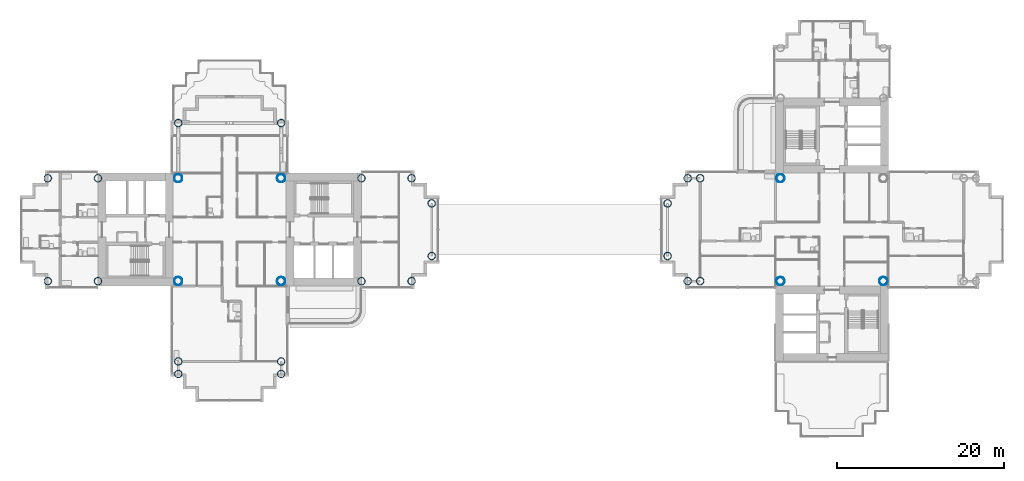
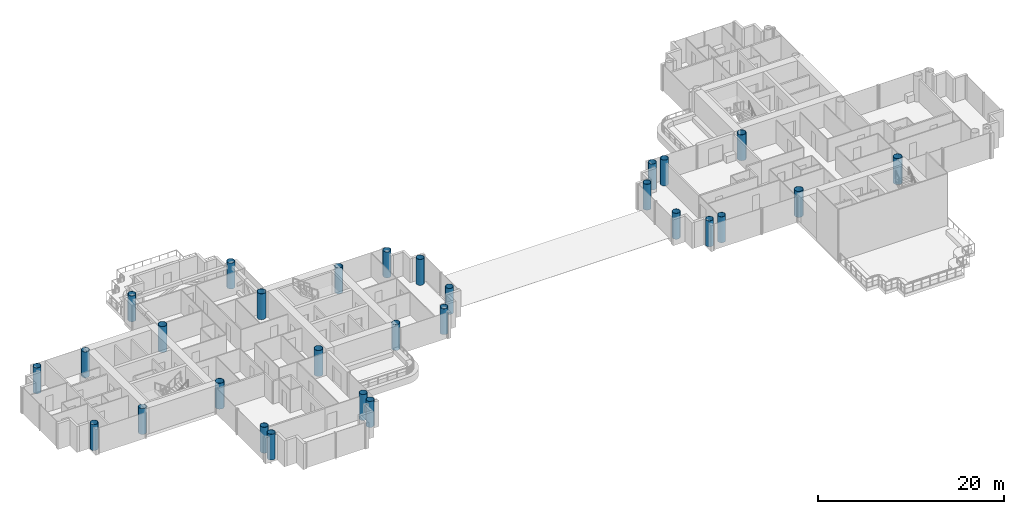
# One storey, part 1 of 22: 29 columns.
"""IFC4 building model written with IfcOpenShell, lengths in metres."""

import ifcopenshell
import ifcopenshell.guid

model = None  # the IFC model being written
_history = None  # IfcOwnerHistory: only IFC2X3 demands one
_inside = {}  # id of a spatial element -> (the spatial element, [elements in it])
_under = {}  # id of a project, library or spatial element -> (it, [spatial elements below it])
_declared = {}  # id of a project -> (the project, [libraries it declares])
_typed = {}  # id of a type object -> (the type object, [elements of that type])
_made_of = {}  # id of a material, layer set ... -> (it, [elements and type objects made of it])


def new_model(schema):
    """Start an empty IFC model of exactly this schema.

    Asked for "IFC4X3", IfcOpenShell would pick the latest addendum, in which some entities
    have other attributes; the version numbers below select the first issue.
    IFC2X3 requires an IfcOwnerHistory on every rooted entity: one is made here for all.
    """
    global model, _history
    if schema == "IFC4X3":
        model = ifcopenshell.file(schema_version=(4, 3, 0, 0))
    else:
        model = ifcopenshell.file(schema=schema)
    _inside.clear()
    _under.clear()
    _declared.clear()
    _typed.clear()
    _made_of.clear()
    _history = None
    if model.schema == "IFC2X3":
        org = make("IfcOrganization", Name="unknown")
        user = make(
            "IfcPersonAndOrganization",
            ThePerson=make("IfcPerson", FamilyName="unknown"),
            TheOrganization=org,
        )
        app = make(
            "IfcApplication",
            ApplicationDeveloper=org,
            Version="unknown",
            ApplicationFullName="unknown",
            ApplicationIdentifier="unknown",
        )
        _history = make(
            "IfcOwnerHistory",
            OwningUser=user,
            OwningApplication=app,
            ChangeAction="ADDED",
            CreationDate=0,
        )
    return model


def make(cls, **values):
    """One entity of the class cls with the attributes given. An attribute that is None is left unset."""
    return model.create_entity(
        cls, **{name: value for name, value in values.items() if value is not None}
    )


def rooted(cls, **values):
    """An entity with a GlobalId (a new one), such as an element, a storey or a relation."""
    return make(cls, GlobalId=ifcopenshell.guid.new(), OwnerHistory=_history, **values)


def si_unit(unit_type, name, prefix=None):
    """IfcSIUnit, for example si_unit("LENGTHUNIT", "METRE", prefix="MILLI")."""
    return make("IfcSIUnit", UnitType=unit_type, Prefix=prefix, Name=name)


def assignment(units):
    """IfcUnitAssignment: the units of a project."""
    return None if units is None else make("IfcUnitAssignment", Units=units)


def point(xyz):
    """IfcCartesianPoint."""
    return None if xyz is None else make("IfcCartesianPoint", Coordinates=xyz)


def direction(xyz):
    """IfcDirection."""
    return None if xyz is None else make("IfcDirection", DirectionRatios=xyz)


def frame(location, z_axis=None, x_axis=None):
    """IfcAxis2Placement3D, a coordinate frame: its origin and axes. An axis left out is left unset."""
    return make(
        "IfcAxis2Placement3D",
        Location=point(location),
        Axis=direction(z_axis),
        RefDirection=direction(x_axis),
    )


def frame_2d(location, x_axis=None):
    """IfcAxis2Placement2D, a coordinate frame in the plane: its origin and x axis."""
    return make(
        "IfcAxis2Placement2D", Location=point(location), RefDirection=direction(x_axis)
    )


def origin():
    """The frame at (0, 0, 0) with its axes left unset."""
    return frame((0.0, 0.0, 0.0))


def origin_2d():
    """The frame at (0, 0) in the plane with its x axis left unset."""
    return frame_2d((0.0, 0.0))


def place(relative_to, where):
    """IfcLocalPlacement: puts the frame where relative to a parent placement (None: the world)."""
    return make(
        "IfcLocalPlacement", PlacementRelTo=relative_to, RelativePlacement=where
    )


def context(
    kind, dimensions, precision=None, world=None, true_north=None, identifier=None
):
    """IfcGeometricRepresentationContext, for example the 3D "Model" context."""
    return make(
        "IfcGeometricRepresentationContext",
        ContextIdentifier=identifier,
        ContextType=kind,
        CoordinateSpaceDimension=dimensions,
        Precision=precision,
        WorldCoordinateSystem=world,
        TrueNorth=true_north,
    )


def subcontext(parent, identifier, kind, view, scale=None):
    """IfcGeometricRepresentationSubContext, for example "Body" below "Model"."""
    return make(
        "IfcGeometricRepresentationSubContext",
        ContextIdentifier=identifier,
        ContextType=kind,
        ParentContext=parent,
        TargetScale=scale,
        TargetView=view,
    )


def project(units=None, contexts=None):
    """IfcProject with its units and contexts."""
    return rooted(
        "IfcProject",
        Name="project",
        RepresentationContexts=contexts,
        UnitsInContext=assignment(units),
    )


def spatial(cls, under=None, at=None, **own):
    """A site, building, storey or space (cls), placed at a placement, below another one or the project."""
    s = rooted(cls, ObjectPlacement=at, **own)
    if under is not None:
        _under.setdefault(under.id(), (under, []))[1].append(s)
    return s


def profile(cls, at=None, kind="AREA", **sizes):
    """A parametric profile (cls). Its sizes go by their IFC names, for example OverallWidth=200.0."""
    return make(cls, ProfileType=kind, Position=at, **sizes)


def hollow_circle(**sizes):
    """IfcCircleHollowProfileDef."""
    return profile("IfcCircleHollowProfileDef", **sizes)


def extrude(swept, where, along, depth):
    """IfcExtrudedAreaSolid: the profile swept, set in the frame where, extruded along a direction by depth."""
    return make(
        "IfcExtrudedAreaSolid",
        SweptArea=swept,
        Position=where,
        ExtrudedDirection=direction(along),
        Depth=depth,
    )


def shape(context_of_items, identifier, shape_type, items):
    """IfcShapeRepresentation: the items that make up one representation, for example the "Body"."""
    return make(
        "IfcShapeRepresentation",
        ContextOfItems=context_of_items,
        RepresentationIdentifier=identifier,
        RepresentationType=shape_type,
        Items=items,
    )


def material(Name=None, Category=None):
    """IfcMaterial."""
    return make("IfcMaterial", Name=Name, Category=Category)


def material_profile(
    of_material, cross_section, Name=None, Category=None, Priority=None
):
    """IfcMaterialProfile: a cross section and its material."""
    return make(
        "IfcMaterialProfile",
        Name=Name,
        Material=of_material,
        Profile=cross_section,
        Priority=Priority,
        Category=Category,
    )


def profile_set(profiles, Name=None, composite=None):
    """IfcMaterialProfileSet."""
    return make(
        "IfcMaterialProfileSet",
        Name=Name,
        MaterialProfiles=profiles,
        CompositeProfile=composite,
    )


def made_of(thing, what):
    """Note that an element or type object is made of a material, layer set ...; save() writes the relation."""
    if what is not None:
        _made_of.setdefault(what.id(), (what, []))[1].append(thing)
    return thing


def type_object(cls, material=None, **own):
    """A type object (cls), such as IfcWallType, which elements share."""
    return made_of(rooted(cls, **own), material)


def element(
    cls,
    number,
    at=None,
    inside=None,
    cuts=None,
    type_object=None,
    material=None,
    context=None,
    identifier="Body",
    shape_type=None,
    held_by="IfcProductDefinitionShape",
    body=None,
    shapes=None,
    **own,
):
    """One element of the class cls, such as IfcWall. Its Tag is "e" and its number.

    at: its placement. inside: the storey or other place that contains it. cuts: it is an
    opening in that element (IfcRelVoidsElement). A single representation is given by context,
    identifier, shape_type and body (its items); several are given by shapes. held_by: the class
    of the entity that holds the representations. save() writes the other relations.
    """
    e = rooted(cls, Tag="e%d" % number, ObjectPlacement=at, **own)
    if body is not None:
        shapes = [shape(context, identifier, shape_type, body)]
    if shapes is not None:
        e.Representation = make(held_by, Representations=shapes)
    if inside is not None:
        _inside.setdefault(inside.id(), (inside, []))[1].append(e)
    if cuts is not None:
        rooted(
            "IfcRelVoidsElement", RelatingBuildingElement=cuts, RelatedOpeningElement=e
        )
    if type_object is not None:
        _typed.setdefault(type_object.id(), (type_object, []))[1].append(e)
    return made_of(e, material)


def aggregate(whole, parts):
    """IfcRelAggregates: a whole, such as a stair, and the parts it consists of."""
    return rooted("IfcRelAggregates", RelatingObject=whole, RelatedObjects=parts)


def save(model, path):
    """Write the relations noted so far, then the file.

    IfcRelAggregates (storeys below a building ...), IfcRelContainedInSpatialStructure (elements
    in a storey), IfcRelDefinesByType, IfcRelAssociatesMaterial and IfcRelDeclares: one each for
    every whole, place, type object, material and project.
    """
    for whole, parts in _under.values():
        aggregate(whole, parts)
    for where, things in _inside.values():
        rooted(
            "IfcRelContainedInSpatialStructure",
            RelatedElements=things,
            RelatingStructure=where,
        )
    for kind, things in _typed.values():
        rooted("IfcRelDefinesByType", RelatedObjects=things, RelatingType=kind)
    for what, things in _made_of.values():
        rooted("IfcRelAssociatesMaterial", RelatedObjects=things, RelatingMaterial=what)
    for by, libraries in _declared.values():
        rooted("IfcRelDeclares", RelatingContext=by, RelatedDefinitions=libraries)
    model.write(path)


model = new_model("IFC4")

# Units and contexts
model_context = context("Model", 3, precision=1e-05, world=origin(), true_north=direction((0.0, 1.0)))
body_context = subcontext(model_context, "Body", "Model", "MODEL_VIEW")
ifc_project = project(units=[si_unit("LENGTHUNIT", "METRE"), si_unit("AREAUNIT", "SQUARE_METRE"), si_unit("VOLUMEUNIT", "CUBIC_METRE"), si_unit("PLANEANGLEUNIT", "RADIAN"), si_unit("MASSUNIT", "GRAM", prefix="KILO")], contexts=[model_context])

# Site, building, storey
site_placement = place(None, origin())
site = spatial("IfcSite", under=ifc_project, at=site_placement, CompositionType="ELEMENT")
building_placement = place(site_placement, origin())
building = spatial("IfcBuilding", under=site, at=building_placement, Name="Ipe Terrace Towers", CompositionType="ELEMENT")
storey_placement = place(building_placement, frame((0.0, 0.0, 76.60009765625)))
storey = spatial("IfcBuildingStorey", under=building, at=storey_placement, Name="L20", CompositionType="ELEMENT", Elevation=76.60009765625)

# Columns
ifc_material_1 = material(Name="Steel S355 tube with Concrete C60/75 fill", Category="concrete")
ifc_material_profile_1 = material_profile(ifc_material_1, hollow_circle(Radius=0.5, WallThickness=0.035888671875, at=origin_2d()), Name="CHS-1000x36")
ifc_profile_set_1 = profile_set([ifc_material_profile_1], Name="Steel S355 tube with Concrete C60/75 fill")
column_type_1 = type_object("IfcColumnType", Name="CH01 COLUMN CHS-1000x36", PredefinedType="COLUMN", material=ifc_profile_set_1)
for number, where, z_axis, x_axis, name in (
    (1, (-42.14990234375, -6.14990234375, 0.0), (0.0, 0.0, 1.0), (1.0, 0.0, 0.0), "Column T1-C-E01"),
    (2, (-29.85009765625, -6.14990234375, 0.0), (0.0, 0.0, 1.0), (1.0, 0.0, 0.0), "Column T1-C-E02"),
    (3, (-29.85009765625, 6.14990234375, 0.0), (0.0, 0.0, 1.0), (1.0, 0.0, 0.0), "Column T1-C-E03"),
    (4, (-42.14990234375, 6.14990234375, 0.0), (0.0, 0.0, 1.0), (1.0, 0.0, 0.0), "Column T1-C-E04"),
    (5, (42.14990234375, -6.14990234375, 0.0), (0.0, 0.0, 1.0), (1.0, 0.0, 0.0), "Column T2-C-E01"),
    (6, (29.85009765625, 6.14990234375, 0.0), (0.0, 0.0, 1.0), (1.0, 0.0, 0.0), "Column T2-C-E03"),
    (7, (29.85009765625, -6.14990234375, 0.0), (0.0, 0.0, 1.0), (1.0, 0.0, 0.0), "Column T2-C-E04"),
):
    element("IfcColumn", number, at=place(storey_placement, frame(where, z_axis=z_axis, x_axis=x_axis)), inside=storey, type_object=column_type_1, Name=name, PredefinedType="COLUMN", context=body_context, shape_type="SweptSolid", body=[
        extrude(hollow_circle(Radius=0.5, WallThickness=0.035888671875, at=origin_2d()), origin(), (0.0, 0.0, 1.0), 3.39990234375),
    ])
ifc_material_2 = material(Name="Steel S355 tube with Concrete C60/75 fill", Category="concrete")
ifc_material_profile_2 = material_profile(ifc_material_2, hollow_circle(Radius=0.449951171875, WallThickness=0.031982421875, at=origin_2d()), Name="CHS-900x32")
ifc_profile_set_2 = profile_set([ifc_material_profile_2], Name="Steel S355 tube with Concrete C60/75 fill")
column_type_2 = type_object("IfcColumnType", Name="CH10 COLUMN CHS-900x32", PredefinedType="COLUMN", material=ifc_profile_set_2)
for number, where, z_axis, x_axis, name in (
    (8, (-20.25, -6.14990234375, 0.0), (0.0, 0.0, 1.0), (1.0, 0.0, 0.0), "Column T1-C-A01"),
    (9, (-20.25, 6.14990234375, 0.0), (0.0, 0.0, 1.0), (1.0, 0.0, 0.0), "Column T1-C-A02"),
    (10, (-14.25, -6.14990234375, 0.0), (0.0, 0.0, 1.0), (1.0, 0.0, 0.0), "Column T1-C-A03"),
    (11, (-14.25, 6.14990234375, 0.0), (0.0, 0.0, 1.0), (1.0, 0.0, 0.0), "Column T1-C-A04"),
    (12, (-11.85009765625, -3.14990234375, 0.0), (0.0, 0.0, 1.0), (1.0, 0.0, 0.0), "Column T1-C-A05"),
    (13, (-11.85009765625, 3.14990234375, 0.0), (0.0, 0.0, 1.0), (1.0, 0.0, 0.0), "Column T1-C-A06"),
    (14, (-29.85009765625, 12.75, 0.0), (0.0, 0.0, 1.0), (1.0, 0.0, 0.0), "Column T1-C-B01"),
    (15, (-42.14990234375, 12.75, 0.0), (0.0, 0.0, 1.0), (1.0, 0.0, 0.0), "Column T1-C-B02"),
    (16, (-51.75, -6.14990234375, 0.0), (0.0, 0.0, 1.0), (1.0, 0.0, 0.0), "Column T1-C-C01"),
    (17, (-51.75, 6.14990234375, 0.0), (0.0, 0.0, 1.0), (1.0, 0.0, 0.0), "Column T1-C-C02"),
    (18, (-57.75, -6.14990234375, 0.0), (0.0, 0.0, 1.0), (1.0, 0.0, 0.0), "Column T1-C-C03"),
    (19, (-57.75, 6.14990234375, 0.0), (0.0, 0.0, 1.0), (1.0, 0.0, 0.0), "Column T1-C-C04"),
    (20, (-42.14990234375, -15.75, 0.0), (0.0, 0.0, 1.0), (1.0, 0.0, 0.0), "Column T1-C-D03"),
    (21, (-29.85009765625, -15.75, 0.0), (0.0, 0.0, 1.0), (1.0, 0.0, 0.0), "Column T1-C-D04"),
    (22, (-42.14990234375, -17.25, 0.0), (0.0, 0.0, 1.0), (1.0, 0.0, 0.0), "Column T1-C-D05"),
    (23, (-29.85009765625, -17.25, 0.0), (0.0, 0.0, 1.0), (1.0, 0.0, 0.0), "Column T1-C-D06"),
    (24, (20.25, 6.14990234375, 0.0), (0.0, 0.0, 1.0), (1.0, 0.0, 0.0), "Column T2-C-B03"),
    (25, (20.25, -6.14990234375, 0.0), (0.0, 0.0, 1.0), (1.0, 0.0, 0.0), "Column T2-C-B04"),
    (26, (18.75, 6.14990234375, 0.0), (0.0, 0.0, 1.0), (1.0, 0.0, 0.0), "Column T2-C-B05"),
    (27, (18.75, -6.14990234375, 0.0), (0.0, 0.0, 1.0), (1.0, 0.0, 0.0), "Column T2-C-B06"),
    (28, (16.35009765625, 3.14990234375, 0.0), (0.0, 0.0, 1.0), (1.0, 0.0, 0.0), "Column T2-C-B07"),
    (29, (16.35009765625, -3.14990234375, 0.0), (0.0, 0.0, 1.0), (1.0, 0.0, 0.0), "Column T2-C-B08"),
):
    element("IfcColumn", number, at=place(storey_placement, frame(where, z_axis=z_axis, x_axis=x_axis)), inside=storey, type_object=column_type_2, Name=name, PredefinedType="COLUMN", context=body_context, shape_type="SweptSolid", body=[
        extrude(hollow_circle(Radius=0.449951171875, WallThickness=0.031982421875, at=origin_2d()), origin(), (0.0, 0.0, 1.0), 3.39990234375),
    ])

save(model, "model.ifc")
